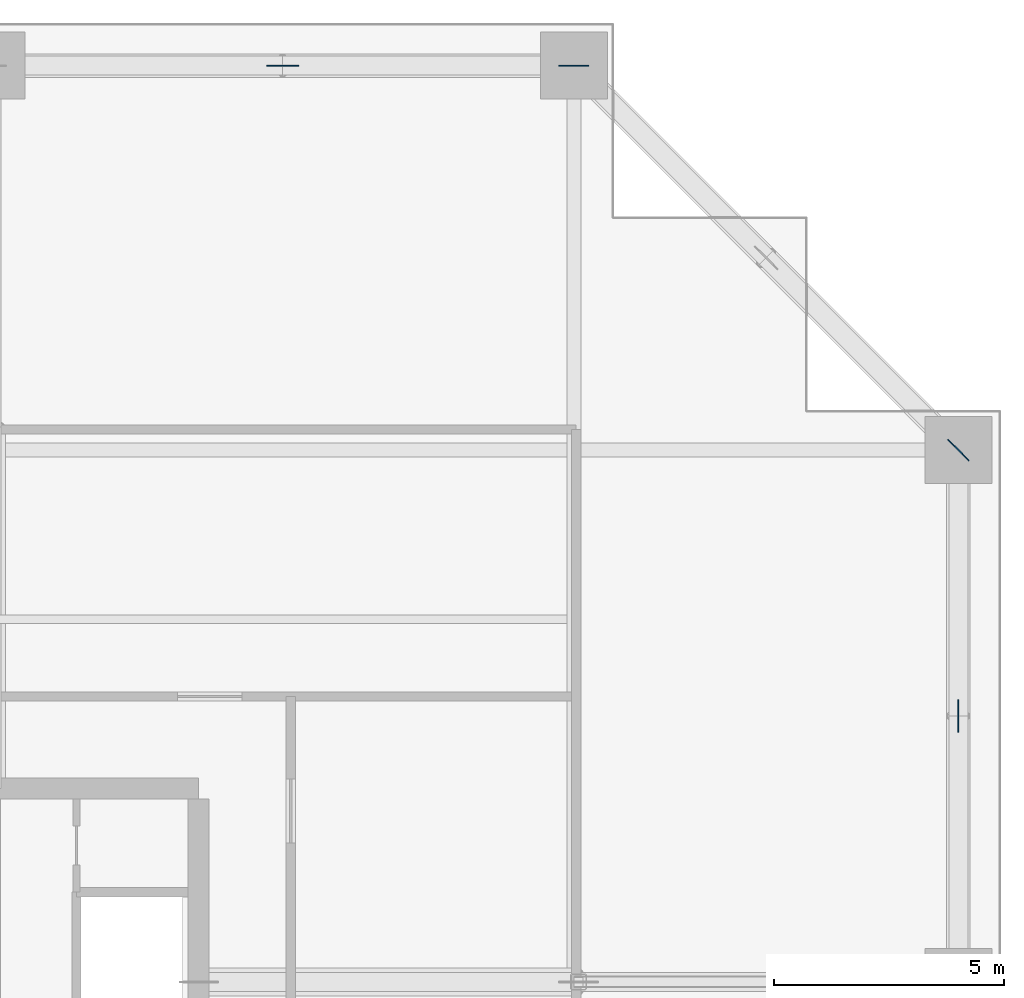
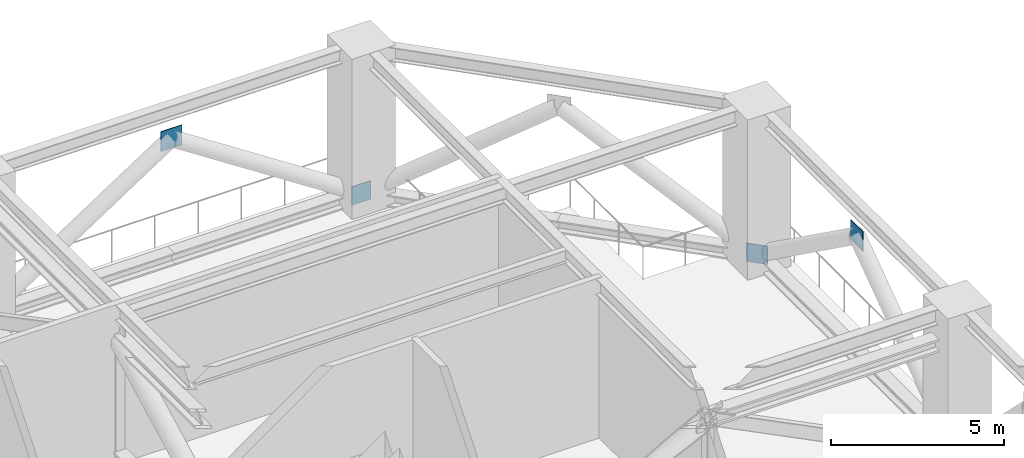
# One storey, part 13 of 21: 4 plates.
"""IFC4 building model written with IfcOpenShell, lengths in metres."""

import ifcopenshell
import ifcopenshell.guid

model = None  # the IFC model being written
_history = None  # IfcOwnerHistory: only IFC2X3 demands one
_inside = {}  # id of a spatial element -> (the spatial element, [elements in it])
_under = {}  # id of a project, library or spatial element -> (it, [spatial elements below it])
_declared = {}  # id of a project -> (the project, [libraries it declares])
_typed = {}  # id of a type object -> (the type object, [elements of that type])
_made_of = {}  # id of a material, layer set ... -> (it, [elements and type objects made of it])


def new_model(schema):
    """Start an empty IFC model of exactly this schema.

    Asked for "IFC4X3", IfcOpenShell would pick the latest addendum, in which some entities
    have other attributes; the version numbers below select the first issue.
    IFC2X3 requires an IfcOwnerHistory on every rooted entity: one is made here for all.
    """
    global model, _history
    if schema == "IFC4X3":
        model = ifcopenshell.file(schema_version=(4, 3, 0, 0))
    else:
        model = ifcopenshell.file(schema=schema)
    _inside.clear()
    _under.clear()
    _declared.clear()
    _typed.clear()
    _made_of.clear()
    _history = None
    if model.schema == "IFC2X3":
        org = make("IfcOrganization", Name="unknown")
        user = make(
            "IfcPersonAndOrganization",
            ThePerson=make("IfcPerson", FamilyName="unknown"),
            TheOrganization=org,
        )
        app = make(
            "IfcApplication",
            ApplicationDeveloper=org,
            Version="unknown",
            ApplicationFullName="unknown",
            ApplicationIdentifier="unknown",
        )
        _history = make(
            "IfcOwnerHistory",
            OwningUser=user,
            OwningApplication=app,
            ChangeAction="ADDED",
            CreationDate=0,
        )
    return model


def make(cls, **values):
    """One entity of the class cls with the attributes given. An attribute that is None is left unset."""
    return model.create_entity(
        cls, **{name: value for name, value in values.items() if value is not None}
    )


def rooted(cls, **values):
    """An entity with a GlobalId (a new one), such as an element, a storey or a relation."""
    return make(cls, GlobalId=ifcopenshell.guid.new(), OwnerHistory=_history, **values)


def si_unit(unit_type, name, prefix=None):
    """IfcSIUnit, for example si_unit("LENGTHUNIT", "METRE", prefix="MILLI")."""
    return make("IfcSIUnit", UnitType=unit_type, Prefix=prefix, Name=name)


def assignment(units):
    """IfcUnitAssignment: the units of a project."""
    return None if units is None else make("IfcUnitAssignment", Units=units)


def point(xyz):
    """IfcCartesianPoint."""
    return None if xyz is None else make("IfcCartesianPoint", Coordinates=xyz)


def direction(xyz):
    """IfcDirection."""
    return None if xyz is None else make("IfcDirection", DirectionRatios=xyz)


def frame(location, z_axis=None, x_axis=None):
    """IfcAxis2Placement3D, a coordinate frame: its origin and axes. An axis left out is left unset."""
    return make(
        "IfcAxis2Placement3D",
        Location=point(location),
        Axis=direction(z_axis),
        RefDirection=direction(x_axis),
    )


def frame_2d(location, x_axis=None):
    """IfcAxis2Placement2D, a coordinate frame in the plane: its origin and x axis."""
    return make(
        "IfcAxis2Placement2D", Location=point(location), RefDirection=direction(x_axis)
    )


def origin():
    """The frame at (0, 0, 0) with its axes left unset."""
    return frame((0.0, 0.0, 0.0))


def origin_2d():
    """The frame at (0, 0) in the plane with its x axis left unset."""
    return frame_2d((0.0, 0.0))


def place(relative_to, where):
    """IfcLocalPlacement: puts the frame where relative to a parent placement (None: the world)."""
    return make(
        "IfcLocalPlacement", PlacementRelTo=relative_to, RelativePlacement=where
    )


def context(
    kind, dimensions, precision=None, world=None, true_north=None, identifier=None
):
    """IfcGeometricRepresentationContext, for example the 3D "Model" context."""
    return make(
        "IfcGeometricRepresentationContext",
        ContextIdentifier=identifier,
        ContextType=kind,
        CoordinateSpaceDimension=dimensions,
        Precision=precision,
        WorldCoordinateSystem=world,
        TrueNorth=true_north,
    )


def subcontext(parent, identifier, kind, view, scale=None):
    """IfcGeometricRepresentationSubContext, for example "Body" below "Model"."""
    return make(
        "IfcGeometricRepresentationSubContext",
        ContextIdentifier=identifier,
        ContextType=kind,
        ParentContext=parent,
        TargetScale=scale,
        TargetView=view,
    )


def project(units=None, contexts=None):
    """IfcProject with its units and contexts."""
    return rooted(
        "IfcProject",
        Name="project",
        RepresentationContexts=contexts,
        UnitsInContext=assignment(units),
    )


def spatial(cls, under=None, at=None, **own):
    """A site, building, storey or space (cls), placed at a placement, below another one or the project."""
    s = rooted(cls, ObjectPlacement=at, **own)
    if under is not None:
        _under.setdefault(under.id(), (under, []))[1].append(s)
    return s


def profile(cls, at=None, kind="AREA", **sizes):
    """A parametric profile (cls). Its sizes go by their IFC names, for example OverallWidth=200.0."""
    return make(cls, ProfileType=kind, Position=at, **sizes)


def rectangle(**sizes):
    """IfcRectangleProfileDef."""
    return profile("IfcRectangleProfileDef", **sizes)


def extrude(swept, where, along, depth):
    """IfcExtrudedAreaSolid: the profile swept, set in the frame where, extruded along a direction by depth."""
    return make(
        "IfcExtrudedAreaSolid",
        SweptArea=swept,
        Position=where,
        ExtrudedDirection=direction(along),
        Depth=depth,
    )


def shape(context_of_items, identifier, shape_type, items):
    """IfcShapeRepresentation: the items that make up one representation, for example the "Body"."""
    return make(
        "IfcShapeRepresentation",
        ContextOfItems=context_of_items,
        RepresentationIdentifier=identifier,
        RepresentationType=shape_type,
        Items=items,
    )


def source(mapping_origin, context_of_items, identifier, shape_type, items):
    """IfcRepresentationMap: a shape defined once, which mapped items show again and again."""
    return make(
        "IfcRepresentationMap",
        MappingOrigin=mapping_origin,
        MappedRepresentation=shape(context_of_items, identifier, shape_type, items),
    )


def transform(
    local_origin,
    x_axis=None,
    y_axis=None,
    z_axis=None,
    scale=None,
    scale2=None,
    scale3=None,
    uniform=True,
):
    """IfcCartesianTransformationOperator3D, or its non-uniform kind. x_axis, y_axis, z_axis: its Axis1, 2, 3."""
    if uniform:
        return make(
            "IfcCartesianTransformationOperator3D",
            Axis1=direction(x_axis),
            Axis2=direction(y_axis),
            LocalOrigin=point(local_origin),
            Scale=scale,
            Axis3=direction(z_axis),
        )
    return make(
        "IfcCartesianTransformationOperator3DnonUniform",
        Axis1=direction(x_axis),
        Axis2=direction(y_axis),
        LocalOrigin=point(local_origin),
        Scale=scale,
        Axis3=direction(z_axis),
        Scale2=scale2,
        Scale3=scale3,
    )


def mapped(mapping_source, mapping_target):
    """IfcMappedItem: shows the shape of a source again, moved by a transform."""
    return make(
        "IfcMappedItem", MappingSource=mapping_source, MappingTarget=mapping_target
    )


def material(Name=None, Category=None):
    """IfcMaterial."""
    return make("IfcMaterial", Name=Name, Category=Category)


def layer(
    of_material, thickness, ventilated=None, Name=None, Category=None, Priority=None
):
    """IfcMaterialLayer: one layer of a wall or slab, of a material (None: an air gap)."""
    return make(
        "IfcMaterialLayer",
        Material=of_material,
        LayerThickness=thickness,
        IsVentilated=ventilated,
        Name=Name,
        Category=Category,
        Priority=Priority,
    )


def layer_set(layers, Name=None):
    """IfcMaterialLayerSet."""
    return make("IfcMaterialLayerSet", MaterialLayers=layers, LayerSetName=Name)


def made_of(thing, what):
    """Note that an element or type object is made of a material, layer set ...; save() writes the relation."""
    if what is not None:
        _made_of.setdefault(what.id(), (what, []))[1].append(thing)
    return thing


def type_object(cls, material=None, **own):
    """A type object (cls), such as IfcWallType, which elements share."""
    return made_of(rooted(cls, **own), material)


def element(
    cls,
    number,
    at=None,
    inside=None,
    cuts=None,
    type_object=None,
    material=None,
    context=None,
    identifier="Body",
    shape_type=None,
    held_by="IfcProductDefinitionShape",
    body=None,
    shapes=None,
    **own,
):
    """One element of the class cls, such as IfcWall. Its Tag is "e" and its number.

    at: its placement. inside: the storey or other place that contains it. cuts: it is an
    opening in that element (IfcRelVoidsElement). A single representation is given by context,
    identifier, shape_type and body (its items); several are given by shapes. held_by: the class
    of the entity that holds the representations. save() writes the other relations.
    """
    e = rooted(cls, Tag="e%d" % number, ObjectPlacement=at, **own)
    if body is not None:
        shapes = [shape(context, identifier, shape_type, body)]
    if shapes is not None:
        e.Representation = make(held_by, Representations=shapes)
    if inside is not None:
        _inside.setdefault(inside.id(), (inside, []))[1].append(e)
    if cuts is not None:
        rooted(
            "IfcRelVoidsElement", RelatingBuildingElement=cuts, RelatedOpeningElement=e
        )
    if type_object is not None:
        _typed.setdefault(type_object.id(), (type_object, []))[1].append(e)
    return made_of(e, material)


def aggregate(whole, parts):
    """IfcRelAggregates: a whole, such as a stair, and the parts it consists of."""
    return rooted("IfcRelAggregates", RelatingObject=whole, RelatedObjects=parts)


def save(model, path):
    """Write the relations noted so far, then the file.

    IfcRelAggregates (storeys below a building ...), IfcRelContainedInSpatialStructure (elements
    in a storey), IfcRelDefinesByType, IfcRelAssociatesMaterial and IfcRelDeclares: one each for
    every whole, place, type object, material and project.
    """
    for whole, parts in _under.values():
        aggregate(whole, parts)
    for where, things in _inside.values():
        rooted(
            "IfcRelContainedInSpatialStructure",
            RelatedElements=things,
            RelatingStructure=where,
        )
    for kind, things in _typed.values():
        rooted("IfcRelDefinesByType", RelatedObjects=things, RelatingType=kind)
    for what, things in _made_of.values():
        rooted("IfcRelAssociatesMaterial", RelatedObjects=things, RelatingMaterial=what)
    for by, libraries in _declared.values():
        rooted("IfcRelDeclares", RelatingContext=by, RelatedDefinitions=libraries)
    model.write(path)


model = new_model("IFC4")

# Units and contexts
model_context = context("Model", 3, precision=1e-05, world=origin(), true_north=direction((0.0, 1.0)))
body_context = subcontext(model_context, "Body", "Model", "MODEL_VIEW")
ifc_project = project(units=[si_unit("LENGTHUNIT", "METRE"), si_unit("AREAUNIT", "SQUARE_METRE"), si_unit("VOLUMEUNIT", "CUBIC_METRE"), si_unit("PLANEANGLEUNIT", "RADIAN"), si_unit("MASSUNIT", "GRAM", prefix="KILO")], contexts=[model_context])

# Site, building, storey
site_placement = place(None, origin())
site = spatial("IfcSite", under=ifc_project, at=site_placement, CompositionType="ELEMENT")
building_placement = place(site_placement, origin())
building = spatial("IfcBuilding", under=site, at=building_placement, Name="Serunith Strait Residences", CompositionType="ELEMENT")
storey_placement = place(building_placement, frame((0.0, 0.0, 109.199951171875)))
storey = spatial("IfcBuildingStorey", under=building, at=storey_placement, Name="L27", CompositionType="ELEMENT", Elevation=109.199951171875)

# Plates
ifc_material = material(Name="Steel S460M", Category="steel")
ifc_layer = layer(ifc_material, 0.02490234375, Name="Steel S460M")
ifc_layer_set = layer_set([ifc_layer], Name="Steel S460M")
plate_type = type_object("IfcPlateType", Name="PLT-CAP-25", PredefinedType="SHEET", material=ifc_layer_set)
shared_shape_1 = source(origin(), body_context, "Body", "SweptSolid", [
    extrude(rectangle(XDim=0.699951171875, YDim=0.02490234375, at=origin_2d()), origin(), (0.0, 0.0, 1.0), 0.699951171875),
])
for number, where, z_axis, x_axis, name in (
    (1, (57.89990234375, 35.175048828125, 4.0400390625), (0.0, 0.0, 1.0), (0.0, 1.0, 0.0), "L27 Belt Truss Apex Gusset 07"),
    (2, (43.22509765625, 49.300048828125, 4.0400390625), (0.0, 0.0, 1.0), (-1.0, 0.0, 0.0), "L27 Belt Truss Apex Gusset 09"),
):
    element("IfcPlate", number, at=place(storey_placement, frame(where, z_axis=z_axis, x_axis=x_axis)), inside=storey, type_object=plate_type, Name=name, PredefinedType="SHEET", context=body_context, shape_type="MappedRepresentation", body=[
        mapped(shared_shape_1, transform((0.0, 0.0, 0.0), scale=1.0)),
    ])
shared_shape_2 = source(origin(), body_context, "Body", "SweptSolid", [
    extrude(rectangle(XDim=0.64990234375, YDim=0.02490234375, at=origin_2d()), origin(), (0.0, 0.0, 1.0), 0.64990234375),
])
for number, where, z_axis, x_axis, name in (
    (3, (57.89990234375, 40.949951171875, -0.074951171875), (0.0, 0.0, 1.0), (-0.707106781187, 0.707106781187, 0.0), "L27 Belt Truss Column Node Plate 08"),
    (4, (49.550048828125, 49.300048828125, -0.074951171875), (0.0, 0.0, 1.0), (-1.0, 0.0, 0.0), "L27 Belt Truss Column Node Plate 09"),
):
    element("IfcPlate", number, at=place(storey_placement, frame(where, z_axis=z_axis, x_axis=x_axis)), inside=storey, type_object=plate_type, Name=name, PredefinedType="SHEET", context=body_context, shape_type="MappedRepresentation", body=[
        mapped(shared_shape_2, transform((0.0, 0.0, 0.0), scale=1.0)),
    ])

save(model, "model.ifc")
